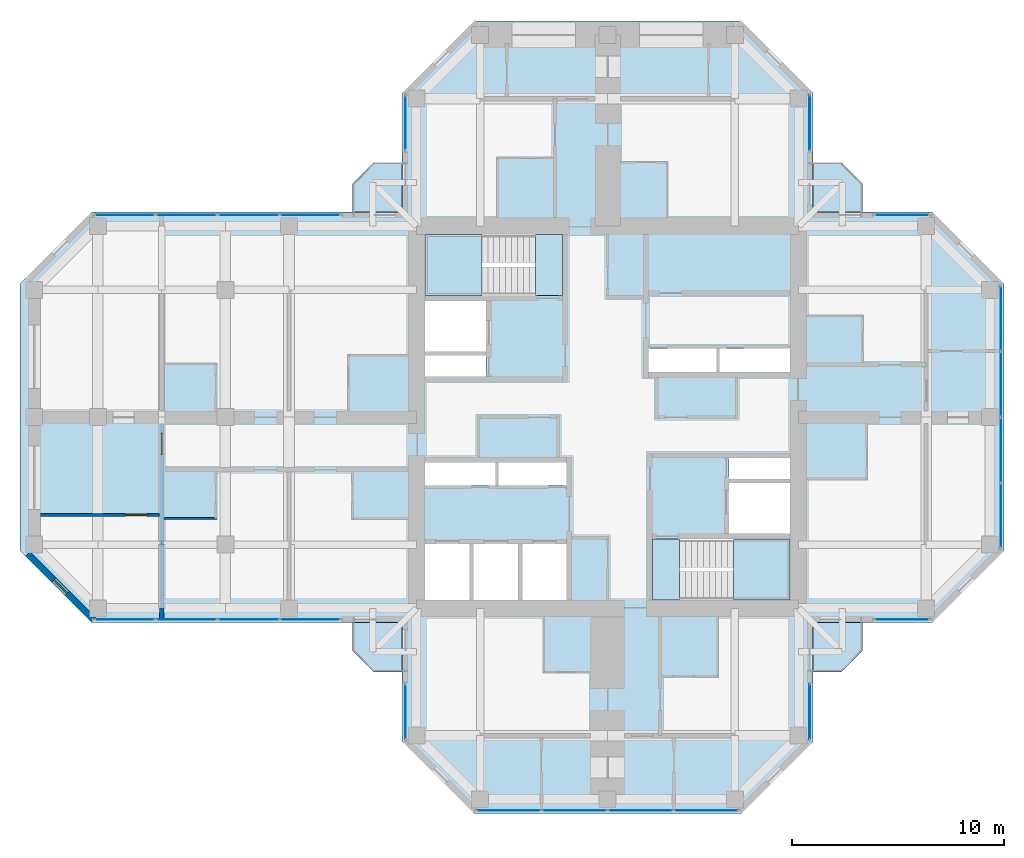
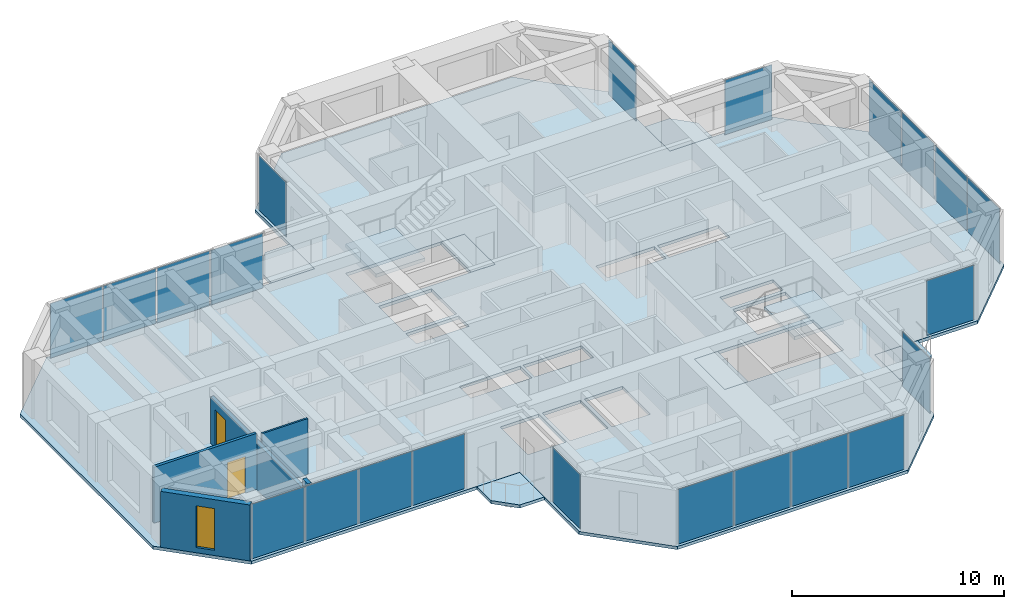
# One storey, part 7 of 14: 22 plates, 9 slabs, 5 walls, 2 doors, 1 window, 3 openings, 12 elements without a shape of their own.
"""IFC4 building model written with IfcOpenShell, lengths in metres."""

import ifcopenshell
import ifcopenshell.guid

model = None  # the IFC model being written
_history = None  # IfcOwnerHistory: only IFC2X3 demands one
_inside = {}  # id of a spatial element -> (the spatial element, [elements in it])
_under = {}  # id of a project, library or spatial element -> (it, [spatial elements below it])
_declared = {}  # id of a project -> (the project, [libraries it declares])
_typed = {}  # id of a type object -> (the type object, [elements of that type])
_made_of = {}  # id of a material, layer set ... -> (it, [elements and type objects made of it])


def new_model(schema):
    """Start an empty IFC model of exactly this schema.

    Asked for "IFC4X3", IfcOpenShell would pick the latest addendum, in which some entities
    have other attributes; the version numbers below select the first issue.
    IFC2X3 requires an IfcOwnerHistory on every rooted entity: one is made here for all.
    """
    global model, _history
    if schema == "IFC4X3":
        model = ifcopenshell.file(schema_version=(4, 3, 0, 0))
    else:
        model = ifcopenshell.file(schema=schema)
    _inside.clear()
    _under.clear()
    _declared.clear()
    _typed.clear()
    _made_of.clear()
    _history = None
    if model.schema == "IFC2X3":
        org = make("IfcOrganization", Name="unknown")
        user = make(
            "IfcPersonAndOrganization",
            ThePerson=make("IfcPerson", FamilyName="unknown"),
            TheOrganization=org,
        )
        app = make(
            "IfcApplication",
            ApplicationDeveloper=org,
            Version="unknown",
            ApplicationFullName="unknown",
            ApplicationIdentifier="unknown",
        )
        _history = make(
            "IfcOwnerHistory",
            OwningUser=user,
            OwningApplication=app,
            ChangeAction="ADDED",
            CreationDate=0,
        )
    return model


def make(cls, **values):
    """One entity of the class cls with the attributes given. An attribute that is None is left unset."""
    return model.create_entity(
        cls, **{name: value for name, value in values.items() if value is not None}
    )


def rooted(cls, **values):
    """An entity with a GlobalId (a new one), such as an element, a storey or a relation."""
    return make(cls, GlobalId=ifcopenshell.guid.new(), OwnerHistory=_history, **values)


def si_unit(unit_type, name, prefix=None):
    """IfcSIUnit, for example si_unit("LENGTHUNIT", "METRE", prefix="MILLI")."""
    return make("IfcSIUnit", UnitType=unit_type, Prefix=prefix, Name=name)


def assignment(units):
    """IfcUnitAssignment: the units of a project."""
    return None if units is None else make("IfcUnitAssignment", Units=units)


def point(xyz):
    """IfcCartesianPoint."""
    return None if xyz is None else make("IfcCartesianPoint", Coordinates=xyz)


def direction(xyz):
    """IfcDirection."""
    return None if xyz is None else make("IfcDirection", DirectionRatios=xyz)


def frame(location, z_axis=None, x_axis=None):
    """IfcAxis2Placement3D, a coordinate frame: its origin and axes. An axis left out is left unset."""
    return make(
        "IfcAxis2Placement3D",
        Location=point(location),
        Axis=direction(z_axis),
        RefDirection=direction(x_axis),
    )


def frame_2d(location, x_axis=None):
    """IfcAxis2Placement2D, a coordinate frame in the plane: its origin and x axis."""
    return make(
        "IfcAxis2Placement2D", Location=point(location), RefDirection=direction(x_axis)
    )


def origin():
    """The frame at (0, 0, 0) with its axes left unset."""
    return frame((0.0, 0.0, 0.0))


def origin_2d():
    """The frame at (0, 0) in the plane with its x axis left unset."""
    return frame_2d((0.0, 0.0))


def place(relative_to, where):
    """IfcLocalPlacement: puts the frame where relative to a parent placement (None: the world)."""
    return make(
        "IfcLocalPlacement", PlacementRelTo=relative_to, RelativePlacement=where
    )


def context(
    kind, dimensions, precision=None, world=None, true_north=None, identifier=None
):
    """IfcGeometricRepresentationContext, for example the 3D "Model" context."""
    return make(
        "IfcGeometricRepresentationContext",
        ContextIdentifier=identifier,
        ContextType=kind,
        CoordinateSpaceDimension=dimensions,
        Precision=precision,
        WorldCoordinateSystem=world,
        TrueNorth=true_north,
    )


def subcontext(parent, identifier, kind, view, scale=None):
    """IfcGeometricRepresentationSubContext, for example "Body" below "Model"."""
    return make(
        "IfcGeometricRepresentationSubContext",
        ContextIdentifier=identifier,
        ContextType=kind,
        ParentContext=parent,
        TargetScale=scale,
        TargetView=view,
    )


def project(units=None, contexts=None):
    """IfcProject with its units and contexts."""
    return rooted(
        "IfcProject",
        Name="project",
        RepresentationContexts=contexts,
        UnitsInContext=assignment(units),
    )


def spatial(cls, under=None, at=None, **own):
    """A site, building, storey or space (cls), placed at a placement, below another one or the project."""
    s = rooted(cls, ObjectPlacement=at, **own)
    if under is not None:
        _under.setdefault(under.id(), (under, []))[1].append(s)
    return s


def polyline(points):
    """IfcPolyline through the points."""
    return make("IfcPolyline", Points=[point(p) for p in points])


def profile(cls, at=None, kind="AREA", **sizes):
    """A parametric profile (cls). Its sizes go by their IFC names, for example OverallWidth=200.0."""
    return make(cls, ProfileType=kind, Position=at, **sizes)


def rectangle(**sizes):
    """IfcRectangleProfileDef."""
    return profile("IfcRectangleProfileDef", **sizes)


def hollow_rectangle(**sizes):
    """IfcRectangleHollowProfileDef."""
    return profile("IfcRectangleHollowProfileDef", **sizes)


def outline(outer, holes=None, kind="AREA"):
    """IfcArbitraryClosedProfileDef: a profile drawn as a closed curve; with holes, ...WithVoids."""
    if holes is None:
        return make("IfcArbitraryClosedProfileDef", ProfileType=kind, OuterCurve=outer)
    return make(
        "IfcArbitraryProfileDefWithVoids",
        ProfileType=kind,
        OuterCurve=outer,
        InnerCurves=holes,
    )


def extrude(swept, where, along, depth):
    """IfcExtrudedAreaSolid: the profile swept, set in the frame where, extruded along a direction by depth."""
    return make(
        "IfcExtrudedAreaSolid",
        SweptArea=swept,
        Position=where,
        ExtrudedDirection=direction(along),
        Depth=depth,
    )


def shape(context_of_items, identifier, shape_type, items):
    """IfcShapeRepresentation: the items that make up one representation, for example the "Body"."""
    return make(
        "IfcShapeRepresentation",
        ContextOfItems=context_of_items,
        RepresentationIdentifier=identifier,
        RepresentationType=shape_type,
        Items=items,
    )


def material(Name=None, Category=None):
    """IfcMaterial."""
    return make("IfcMaterial", Name=Name, Category=Category)


def layer(
    of_material, thickness, ventilated=None, Name=None, Category=None, Priority=None
):
    """IfcMaterialLayer: one layer of a wall or slab, of a material (None: an air gap)."""
    return make(
        "IfcMaterialLayer",
        Material=of_material,
        LayerThickness=thickness,
        IsVentilated=ventilated,
        Name=Name,
        Category=Category,
        Priority=Priority,
    )


def layer_set(layers, Name=None):
    """IfcMaterialLayerSet."""
    return make("IfcMaterialLayerSet", MaterialLayers=layers, LayerSetName=Name)


def constituent(of_material, Name=None, Category=None, fraction=None):
    """IfcMaterialConstituent: one of the materials an element consists of."""
    return make(
        "IfcMaterialConstituent",
        Name=Name,
        Material=of_material,
        Fraction=fraction,
        Category=Category,
    )


def constituent_set(constituents=None, Name=None):
    """IfcMaterialConstituentSet."""
    return make(
        "IfcMaterialConstituentSet", Name=Name, MaterialConstituents=constituents
    )


def made_of(thing, what):
    """Note that an element or type object is made of a material, layer set ...; save() writes the relation."""
    if what is not None:
        _made_of.setdefault(what.id(), (what, []))[1].append(thing)
    return thing


def type_object(cls, material=None, **own):
    """A type object (cls), such as IfcWallType, which elements share."""
    return made_of(rooted(cls, **own), material)


def element(
    cls,
    number,
    at=None,
    inside=None,
    cuts=None,
    type_object=None,
    material=None,
    context=None,
    identifier="Body",
    shape_type=None,
    held_by="IfcProductDefinitionShape",
    body=None,
    shapes=None,
    **own,
):
    """One element of the class cls, such as IfcWall. Its Tag is "e" and its number.

    at: its placement. inside: the storey or other place that contains it. cuts: it is an
    opening in that element (IfcRelVoidsElement). A single representation is given by context,
    identifier, shape_type and body (its items); several are given by shapes. held_by: the class
    of the entity that holds the representations. save() writes the other relations.
    """
    e = rooted(cls, Tag="e%d" % number, ObjectPlacement=at, **own)
    if body is not None:
        shapes = [shape(context, identifier, shape_type, body)]
    if shapes is not None:
        e.Representation = make(held_by, Representations=shapes)
    if inside is not None:
        _inside.setdefault(inside.id(), (inside, []))[1].append(e)
    if cuts is not None:
        rooted(
            "IfcRelVoidsElement", RelatingBuildingElement=cuts, RelatedOpeningElement=e
        )
    if type_object is not None:
        _typed.setdefault(type_object.id(), (type_object, []))[1].append(e)
    return made_of(e, material)


def fill(opening, filler):
    """IfcRelFillsElement: the door or window that sits in an opening."""
    return rooted(
        "IfcRelFillsElement",
        RelatingOpeningElement=opening,
        RelatedBuildingElement=filler,
    )


def aggregate(whole, parts):
    """IfcRelAggregates: a whole, such as a stair, and the parts it consists of."""
    return rooted("IfcRelAggregates", RelatingObject=whole, RelatedObjects=parts)


def save(model, path):
    """Write the relations noted so far, then the file.

    IfcRelAggregates (storeys below a building ...), IfcRelContainedInSpatialStructure (elements
    in a storey), IfcRelDefinesByType, IfcRelAssociatesMaterial and IfcRelDeclares: one each for
    every whole, place, type object, material and project.
    """
    for whole, parts in _under.values():
        aggregate(whole, parts)
    for where, things in _inside.values():
        rooted(
            "IfcRelContainedInSpatialStructure",
            RelatedElements=things,
            RelatingStructure=where,
        )
    for kind, things in _typed.values():
        rooted("IfcRelDefinesByType", RelatedObjects=things, RelatingType=kind)
    for what, things in _made_of.values():
        rooted("IfcRelAssociatesMaterial", RelatedObjects=things, RelatingMaterial=what)
    for by, libraries in _declared.values():
        rooted("IfcRelDeclares", RelatingContext=by, RelatedDefinitions=libraries)
    model.write(path)


model = new_model("IFC4")

# Units and contexts
model_context = context("Model", 3, precision=1e-05, world=origin(), true_north=direction((0.0, 1.0)))
body_context = subcontext(model_context, "Body", "Model", "MODEL_VIEW")
ifc_project = project(units=[si_unit("LENGTHUNIT", "METRE"), si_unit("AREAUNIT", "SQUARE_METRE"), si_unit("VOLUMEUNIT", "CUBIC_METRE"), si_unit("PLANEANGLEUNIT", "RADIAN"), si_unit("MASSUNIT", "GRAM", prefix="KILO")], contexts=[model_context])

# Site, building, storey
site_placement = place(None, origin())
site = spatial("IfcSite", under=ifc_project, at=site_placement, CompositionType="ELEMENT")
building_placement = place(site_placement, origin())
building = spatial("IfcBuilding", under=site, at=building_placement, Name="Torre Cruceta", CompositionType="ELEMENT")
storey_placement = place(building_placement, frame((0.0, 0.0, 225.5)))
storey = spatial("IfcBuildingStorey", under=building, at=storey_placement, Name="L57", CompositionType="ELEMENT", Elevation=225.5)

# Slabs
ifc_material_1 = material(Name="Concrete G35 (fck 35 MPa)", Category="concrete")
ifc_layer_1 = layer(ifc_material_1, 0.179931640625)
ifc_layer_set_1 = layer_set([ifc_layer_1], Name="Concrete G35 (fck 35 MPa)")
slab_type_1 = type_object("IfcSlabType", Name="BALCONY SLAB 180", PredefinedType="USERDEFINED", material=ifc_layer_set_1)
slab_1_placement = place(storey_placement, frame((0.0, 0.0, -0.179931640625)))
element("IfcSlab", 1, at=slab_1_placement, inside=storey, type_object=slab_type_1, Name="Balcony slab L57 N", ObjectType="BALCONY", PredefinedType="USERDEFINED", context=body_context, shape_type="SweptSolid", body=[
    extrude(outline(polyline([(-12.0, 11.0), (-11.0, 12.0), (-9.669921875, 12.0), (-9.669921875, 9.669921875), (-12.0, 9.669921875), (-12.0, 11.0)])), origin(), (0.0, 0.0, 1.0), 0.179931640625),
])
slab_2_placement = place(storey_placement, frame((0.0, 0.0, -0.179931640625)))
element("IfcSlab", 2, at=slab_2_placement, inside=storey, type_object=slab_type_1, Name="Balcony slab L57 E", ObjectType="BALCONY", PredefinedType="USERDEFINED", context=body_context, shape_type="SweptSolid", body=[
    extrude(outline(polyline([(11.0, 12.0), (12.0, 11.0), (12.0, 9.669921875), (9.669921875, 9.669921875), (9.669921875, 12.0), (11.0, 12.0)])), origin(), (0.0, 0.0, 1.0), 0.179931640625),
])
slab_3_placement = place(storey_placement, frame((0.0, 0.0, -0.179931640625)))
element("IfcSlab", 3, at=slab_3_placement, inside=storey, type_object=slab_type_1, Name="Balcony slab L57 S", ObjectType="BALCONY", PredefinedType="USERDEFINED", context=body_context, shape_type="SweptSolid", body=[
    extrude(outline(polyline([(12.0, -11.0), (11.0, -12.0), (9.669921875, -12.0), (9.669921875, -9.669921875), (12.0, -9.669921875), (12.0, -11.0)])), origin(), (0.0, 0.0, 1.0), 0.179931640625),
])
slab_4_placement = place(storey_placement, frame((0.0, 0.0, -0.179931640625)))
element("IfcSlab", 4, at=slab_4_placement, inside=storey, type_object=slab_type_1, Name="Balcony slab L57 W", ObjectType="BALCONY", PredefinedType="USERDEFINED", context=body_context, shape_type="SweptSolid", body=[
    extrude(outline(polyline([(-11.0, -12.0), (-12.0, -11.0), (-12.0, -9.669921875), (-9.669921875, -9.669921875), (-9.669921875, -12.0), (-11.0, -12.0)])), origin(), (0.0, 0.0, 1.0), 0.179931640625),
])

# Curtain wall, plate
ifc_material_2 = material(Name="Aluminium unitised curtain wall", Category="aluminium")
curtain_wall_type = type_object("IfcCurtainWallType", Name="CURTAIN WALL CW-D CO-LIVING UPPER", PredefinedType="USERDEFINED", material=ifc_material_2)
curtain_wall_1_placement = place(storey_placement, origin())
curtain_wall_1 = element("IfcCurtainWall", 5, at=curtain_wall_1_placement, inside=storey, type_object=curtain_wall_type, Name="CW-D L57 E tip 02", ObjectType="UNITISED", PredefinedType="USERDEFINED")
ifc_material_3 = material(Name="Laminated insulating glass unit, diagonal frit 50 %", Category="glass")
ifc_material_4 = material(Name="Laminated insulating glass unit, diagonal frit 50 %", Category="glass")
ifc_layer_2 = layer(ifc_material_4, 0.028076171875)
ifc_layer_set_2 = layer_set([ifc_layer_2], Name="Laminated insulating glass unit, diagonal frit 50 %")
plate_type_1 = type_object("IfcPlateType", Name="CW-D OPERABLE VENT PANEL 28", PredefinedType="CURTAIN_PANEL", material=ifc_layer_set_2)
plate_1_placement = place(storey_placement, frame((18.52001953125, -1.553955078125, 0.010009765625), z_axis=(0.0, 0.0, 1.0), x_axis=(0.0, 1.0, 0.0)))
plate_1 = element("IfcPlate", 6, at=plate_1_placement, type_object=plate_type_1, material=ifc_material_3, Name="CW-D vent 2", PredefinedType="CURTAIN_PANEL", context=body_context, shape_type="SweptSolid", body=[
    extrude(rectangle(XDim=3.047607421875, YDim=0.028076171875, at=origin_2d()), origin(), (0.0, 0.0, 1.0), 3.14990234375),
])

curtain_wall_2_placement = place(storey_placement, origin())
curtain_wall_2 = element("IfcCurtainWall", 7, at=curtain_wall_2_placement, inside=storey, type_object=curtain_wall_type, Name="CW-D L57 W side 10", ObjectType="UNITISED", PredefinedType="USERDEFINED")
plate_2_placement = place(storey_placement, frame((-16.90576171875, 9.52001953125, 0.010009765625), z_axis=(0.0, 0.0, 1.0), x_axis=(-1.0, 0.0, 0.0)))
plate_2 = element("IfcPlate", 8, at=plate_2_placement, type_object=plate_type_1, material=ifc_material_3, Name="CW-D vent 2", PredefinedType="CURTAIN_PANEL", context=body_context, shape_type="SweptSolid", body=[
    extrude(rectangle(XDim=2.86376953125, YDim=0.028076171875, at=origin_2d()), origin(), (0.0, 0.0, 1.0), 3.14990234375),
])

curtain_wall_3_placement = place(storey_placement, origin())
curtain_wall_3 = element("IfcCurtainWall", 9, at=curtain_wall_3_placement, inside=storey, type_object=curtain_wall_type, Name="CW-D L57 W side 14", ObjectType="UNITISED", PredefinedType="USERDEFINED")
plate_3_placement = place(storey_placement, frame((-19.82958984375, -9.52001953125, 0.010009765625), z_axis=(0.0, 0.0, 1.0), x_axis=(1.0, 0.0, 0.0)))
plate_3 = element("IfcPlate", 10, at=plate_3_placement, type_object=plate_type_1, material=ifc_material_3, Name="CW-D vent 2", PredefinedType="CURTAIN_PANEL", context=body_context, shape_type="SweptSolid", body=[
    extrude(rectangle(XDim=2.86376953125, YDim=0.028076171875, at=origin_2d()), origin(), (0.0, 0.0, 1.0), 3.14990234375),
])

curtain_wall_4_placement = place(storey_placement, origin())
curtain_wall_4 = element("IfcCurtainWall", 11, at=curtain_wall_4_placement, inside=storey, type_object=curtain_wall_type, Name="CW-D L57 S tip 17", ObjectType="UNITISED", PredefinedType="USERDEFINED")
plate_4_placement = place(storey_placement, frame((-1.553955078125, -18.52001953125, 0.010009765625), z_axis=(0.0, 0.0, 1.0), x_axis=(1.0, 0.0, 0.0)))
plate_4 = element("IfcPlate", 12, at=plate_4_placement, type_object=plate_type_1, material=ifc_material_3, Name="CW-D vent 2", PredefinedType="CURTAIN_PANEL", context=body_context, shape_type="SweptSolid", body=[
    extrude(rectangle(XDim=3.047607421875, YDim=0.028076171875, at=origin_2d()), origin(), (0.0, 0.0, 1.0), 3.14990234375),
])

curtain_wall_5_placement = place(storey_placement, origin())
curtain_wall_5 = element("IfcCurtainWall", 13, at=curtain_wall_5_placement, inside=storey, type_object=curtain_wall_type, Name="CW-D L57 E side 00", ObjectType="UNITISED", PredefinedType="USERDEFINED")
ifc_material_5 = material(Name="Laminated insulating glass unit, diagonal frit 50 %", Category="glass")
ifc_layer_3 = layer(ifc_material_5, 0.028076171875)
ifc_layer_set_3 = layer_set([ifc_layer_3], Name="Laminated insulating glass unit, diagonal frit 50 %")
plate_type_2 = type_object("IfcPlateType", Name="CW-D PANEL 28", PredefinedType="CURTAIN_PANEL", material=ifc_layer_set_3)
plate_5_placement = place(storey_placement, frame((13.86767578125, -9.52001953125, 0.010009765625), z_axis=(0.0, 0.0, 1.0), x_axis=(1.0, 0.0, 0.0)))
plate_5 = element("IfcPlate", 14, at=plate_5_placement, type_object=plate_type_2, material=ifc_material_3, Name="CW-D panel 1", PredefinedType="CURTAIN_PANEL", context=body_context, shape_type="SweptSolid", body=[
    extrude(rectangle(XDim=2.575439453125, YDim=0.028076171875, at=origin_2d()), origin(), (0.0, 0.0, 1.0), 3.14990234375),
])
aggregate(curtain_wall_5, [plate_5])

# Plate
plate_6_placement = place(storey_placement, frame((18.52001953125, -4.646484375, 0.010009765625), z_axis=(0.0, 0.0, 1.0), x_axis=(0.0, 1.0, 0.0)))
plate_6 = element("IfcPlate", 15, at=plate_6_placement, type_object=plate_type_2, material=ifc_material_3, Name="CW-D panel 1", PredefinedType="CURTAIN_PANEL", context=body_context, shape_type="SweptSolid", body=[
    extrude(rectangle(XDim=3.017578125, YDim=0.028076171875, at=origin_2d()), origin(), (0.0, 0.0, 1.0), 3.14990234375),
])

plate_7_placement = place(storey_placement, frame((18.52001953125, 1.553955078125, 0.010009765625), z_axis=(0.0, 0.0, 1.0), x_axis=(0.0, 1.0, 0.0)))
plate_7 = element("IfcPlate", 16, at=plate_7_placement, type_object=plate_type_2, material=ifc_material_3, Name="CW-D panel 3", PredefinedType="CURTAIN_PANEL", context=body_context, shape_type="SweptSolid", body=[
    extrude(rectangle(XDim=3.047607421875, YDim=0.028076171875, at=origin_2d()), origin(), (0.0, 0.0, 1.0), 3.14990234375),
])

ifc_material_6 = material(Name="Laminated insulating glass unit, low-iron clear", Category="glass")
plate_8_placement = place(storey_placement, frame((18.52001953125, 4.646484375, 0.010009765625), z_axis=(0.0, 0.0, 1.0), x_axis=(0.0, 1.0, 0.0)))
plate_8 = element("IfcPlate", 17, at=plate_8_placement, type_object=plate_type_2, material=ifc_material_6, Name="CW-D panel 4", PredefinedType="CURTAIN_PANEL", context=body_context, shape_type="SweptSolid", body=[
    extrude(rectangle(XDim=3.017578125, YDim=0.028076171875, at=origin_2d()), origin(), (0.0, 0.0, 1.0), 3.14990234375),
])

aggregate(curtain_wall_1, [plate_6, plate_1, plate_7, plate_8])

# Curtain wall, plate
curtain_wall_6_placement = place(storey_placement, origin())
curtain_wall_6 = element("IfcCurtainWall", 18, at=curtain_wall_6_placement, inside=storey, type_object=curtain_wall_type, Name="CW-D L57 E side 04", ObjectType="UNITISED", PredefinedType="USERDEFINED")
plate_9_placement = place(storey_placement, frame((13.86767578125, 9.52001953125, 0.010009765625), z_axis=(0.0, 0.0, 1.0), x_axis=(-1.0, 0.0, 0.0)))
plate_9 = element("IfcPlate", 19, at=plate_9_placement, type_object=plate_type_2, material=ifc_material_3, Name="CW-D panel 1", PredefinedType="CURTAIN_PANEL", context=body_context, shape_type="SweptSolid", body=[
    extrude(rectangle(XDim=2.575439453125, YDim=0.028076171875, at=origin_2d()), origin(), (0.0, 0.0, 1.0), 3.14990234375),
])
aggregate(curtain_wall_6, [plate_9])

curtain_wall_7_placement = place(storey_placement, origin())
curtain_wall_7 = element("IfcCurtainWall", 20, at=curtain_wall_7_placement, inside=storey, type_object=curtain_wall_type, Name="CW-D L57 N side 05", ObjectType="UNITISED", PredefinedType="USERDEFINED")
plate_10_placement = place(storey_placement, frame((9.52001953125, 13.86767578125, 0.010009765625), z_axis=(0.0, 0.0, 1.0), x_axis=(0.0, 1.0, 0.0)))
plate_10 = element("IfcPlate", 21, at=plate_10_placement, type_object=plate_type_2, material=ifc_material_3, Name="CW-D panel 1", PredefinedType="CURTAIN_PANEL", context=body_context, shape_type="SweptSolid", body=[
    extrude(rectangle(XDim=2.575439453125, YDim=0.028076171875, at=origin_2d()), origin(), (0.0, 0.0, 1.0), 3.14990234375),
])
aggregate(curtain_wall_7, [plate_10])

curtain_wall_8_placement = place(storey_placement, origin())
curtain_wall_8 = element("IfcCurtainWall", 22, at=curtain_wall_8_placement, inside=storey, type_object=curtain_wall_type, Name="CW-D L57 N side 09", ObjectType="UNITISED", PredefinedType="USERDEFINED")
plate_11_placement = place(storey_placement, frame((-9.52001953125, 13.86767578125, 0.010009765625), z_axis=(0.0, 0.0, 1.0), x_axis=(0.0, -1.0, 0.0)))
plate_11 = element("IfcPlate", 23, at=plate_11_placement, type_object=plate_type_2, material=ifc_material_3, Name="CW-D panel 1", PredefinedType="CURTAIN_PANEL", context=body_context, shape_type="SweptSolid", body=[
    extrude(rectangle(XDim=2.575439453125, YDim=0.028076171875, at=origin_2d()), origin(), (0.0, 0.0, 1.0), 3.14990234375),
])
aggregate(curtain_wall_8, [plate_11])

# Plate
plate_12_placement = place(storey_placement, frame((-13.996826171875, 9.52001953125, 0.010009765625), z_axis=(0.0, 0.0, 1.0), x_axis=(-1.0, 0.0, 0.0)))
plate_12 = element("IfcPlate", 24, at=plate_12_placement, type_object=plate_type_2, material=ifc_material_3, Name="CW-D panel 1", PredefinedType="CURTAIN_PANEL", context=body_context, shape_type="SweptSolid", body=[
    extrude(rectangle(XDim=2.833740234375, YDim=0.028076171875, at=origin_2d()), origin(), (0.0, 0.0, 1.0), 3.14990234375),
])

plate_13_placement = place(storey_placement, frame((-19.82958984375, 9.52001953125, 0.010009765625), z_axis=(0.0, 0.0, 1.0), x_axis=(-1.0, 0.0, 0.0)))
plate_13 = element("IfcPlate", 25, at=plate_13_placement, type_object=plate_type_2, material=ifc_material_3, Name="CW-D panel 3", PredefinedType="CURTAIN_PANEL", context=body_context, shape_type="SweptSolid", body=[
    extrude(rectangle(XDim=2.86376953125, YDim=0.028076171875, at=origin_2d()), origin(), (0.0, 0.0, 1.0), 3.14990234375),
])

plate_14_placement = place(storey_placement, frame((-22.738525390625, 9.52001953125, 0.010009765625), z_axis=(0.0, 0.0, 1.0), x_axis=(-1.0, 0.0, 0.0)))
plate_14 = element("IfcPlate", 26, at=plate_14_placement, type_object=plate_type_2, material=ifc_material_6, Name="CW-D panel 4", PredefinedType="CURTAIN_PANEL", context=body_context, shape_type="SweptSolid", body=[
    extrude(rectangle(XDim=2.833740234375, YDim=0.028076171875, at=origin_2d()), origin(), (0.0, 0.0, 1.0), 3.14990234375),
])

aggregate(curtain_wall_2, [plate_12, plate_2, plate_13, plate_14])

plate_15_placement = place(storey_placement, frame((-22.738525390625, -9.52001953125, 0.010009765625), z_axis=(0.0, 0.0, 1.0), x_axis=(1.0, 0.0, 0.0)))
plate_15 = element("IfcPlate", 27, at=plate_15_placement, type_object=plate_type_2, material=ifc_material_3, Name="CW-D panel 1", PredefinedType="CURTAIN_PANEL", context=body_context, shape_type="SweptSolid", body=[
    extrude(rectangle(XDim=2.833740234375, YDim=0.028076171875, at=origin_2d()), origin(), (0.0, 0.0, 1.0), 3.14990234375),
])

plate_16_placement = place(storey_placement, frame((-16.90576171875, -9.52001953125, 0.010009765625), z_axis=(0.0, 0.0, 1.0), x_axis=(1.0, 0.0, 0.0)))
plate_16 = element("IfcPlate", 28, at=plate_16_placement, type_object=plate_type_2, material=ifc_material_3, Name="CW-D panel 3", PredefinedType="CURTAIN_PANEL", context=body_context, shape_type="SweptSolid", body=[
    extrude(rectangle(XDim=2.86376953125, YDim=0.028076171875, at=origin_2d()), origin(), (0.0, 0.0, 1.0), 3.14990234375),
])

plate_17_placement = place(storey_placement, frame((-13.996826171875, -9.52001953125, 0.010009765625), z_axis=(0.0, 0.0, 1.0), x_axis=(1.0, 0.0, 0.0)))
plate_17 = element("IfcPlate", 29, at=plate_17_placement, type_object=plate_type_2, material=ifc_material_6, Name="CW-D panel 4", PredefinedType="CURTAIN_PANEL", context=body_context, shape_type="SweptSolid", body=[
    extrude(rectangle(XDim=2.833740234375, YDim=0.028076171875, at=origin_2d()), origin(), (0.0, 0.0, 1.0), 3.14990234375),
])

aggregate(curtain_wall_3, [plate_15, plate_3, plate_16, plate_17])

# Curtain wall, plate
curtain_wall_9_placement = place(storey_placement, origin())
curtain_wall_9 = element("IfcCurtainWall", 30, at=curtain_wall_9_placement, inside=storey, type_object=curtain_wall_type, Name="CW-D L57 S side 15", ObjectType="UNITISED", PredefinedType="USERDEFINED")
plate_18_placement = place(storey_placement, frame((-9.52001953125, -13.86767578125, 0.010009765625), z_axis=(0.0, 0.0, 1.0), x_axis=(0.0, -1.0, 0.0)))
plate_18 = element("IfcPlate", 31, at=plate_18_placement, type_object=plate_type_2, material=ifc_material_3, Name="CW-D panel 1", PredefinedType="CURTAIN_PANEL", context=body_context, shape_type="SweptSolid", body=[
    extrude(rectangle(XDim=2.575439453125, YDim=0.028076171875, at=origin_2d()), origin(), (0.0, 0.0, 1.0), 3.14990234375),
])
aggregate(curtain_wall_9, [plate_18])

# Plate
plate_19_placement = place(storey_placement, frame((-4.646484375, -18.52001953125, 0.010009765625), z_axis=(0.0, 0.0, 1.0), x_axis=(1.0, 0.0, 0.0)))
plate_19 = element("IfcPlate", 32, at=plate_19_placement, type_object=plate_type_2, material=ifc_material_3, Name="CW-D panel 1", PredefinedType="CURTAIN_PANEL", context=body_context, shape_type="SweptSolid", body=[
    extrude(rectangle(XDim=3.017578125, YDim=0.028076171875, at=origin_2d()), origin(), (0.0, 0.0, 1.0), 3.14990234375),
])

plate_20_placement = place(storey_placement, frame((1.553955078125, -18.52001953125, 0.010009765625), z_axis=(0.0, 0.0, 1.0), x_axis=(1.0, 0.0, 0.0)))
plate_20 = element("IfcPlate", 33, at=plate_20_placement, type_object=plate_type_2, material=ifc_material_3, Name="CW-D panel 3", PredefinedType="CURTAIN_PANEL", context=body_context, shape_type="SweptSolid", body=[
    extrude(rectangle(XDim=3.047607421875, YDim=0.028076171875, at=origin_2d()), origin(), (0.0, 0.0, 1.0), 3.14990234375),
])

plate_21_placement = place(storey_placement, frame((4.646484375, -18.52001953125, 0.010009765625), z_axis=(0.0, 0.0, 1.0), x_axis=(1.0, 0.0, 0.0)))
plate_21 = element("IfcPlate", 34, at=plate_21_placement, type_object=plate_type_2, material=ifc_material_6, Name="CW-D panel 4", PredefinedType="CURTAIN_PANEL", context=body_context, shape_type="SweptSolid", body=[
    extrude(rectangle(XDim=3.017578125, YDim=0.028076171875, at=origin_2d()), origin(), (0.0, 0.0, 1.0), 3.14990234375),
])

aggregate(curtain_wall_4, [plate_19, plate_4, plate_20, plate_21])

# Curtain wall, plate
curtain_wall_10_placement = place(storey_placement, origin())
curtain_wall_10 = element("IfcCurtainWall", 35, at=curtain_wall_10_placement, inside=storey, type_object=curtain_wall_type, Name="CW-D L57 S side 19", ObjectType="UNITISED", PredefinedType="USERDEFINED")
plate_22_placement = place(storey_placement, frame((9.52001953125, -13.86767578125, 0.010009765625), z_axis=(0.0, 0.0, 1.0), x_axis=(0.0, 1.0, 0.0)))
plate_22 = element("IfcPlate", 36, at=plate_22_placement, type_object=plate_type_2, material=ifc_material_3, Name="CW-D panel 1", PredefinedType="CURTAIN_PANEL", context=body_context, shape_type="SweptSolid", body=[
    extrude(rectangle(XDim=2.575439453125, YDim=0.028076171875, at=origin_2d()), origin(), (0.0, 0.0, 1.0), 3.14990234375),
])
aggregate(curtain_wall_10, [plate_22])

# Slab
ifc_material_7 = material(Name="Concrete G35 (fck 35 MPa)", Category="concrete")
ifc_layer_4 = layer(ifc_material_7, 0.179931640625)
ifc_layer_set_4 = layer_set([ifc_layer_4], Name="Concrete G35 (fck 35 MPa)")
slab_type_2 = type_object("IfcSlabType", Name="FLOOR SLAB 180", PredefinedType="FLOOR", material=ifc_layer_set_4)
slab_5_placement = place(storey_placement, frame((0.0, 0.0, -0.179931640625)))
element("IfcSlab", 37, at=slab_5_placement, inside=storey, type_object=slab_type_2, Name="Floor Slab L57", PredefinedType="FLOOR", context=body_context, shape_type="SweptSolid", body=[
    extrude(outline(polyline([(9.669921875, -9.669921875), (9.669921875, -15.277587890625), (6.277587890625, -18.669921875), (-6.277587890625, -18.669921875), (-9.669921875, -15.277587890625), (-9.669921875, -9.669921875), (-24.277587890625, -9.669921875), (-27.669921875, -6.277587890625), (-27.669921875, 6.277587890625), (-24.277587890625, 9.669921875), (-9.669921875, 9.669921875), (-9.669921875, 15.277587890625), (-6.277587890625, 18.669921875), (6.277587890625, 18.669921875), (9.669921875, 15.277587890625), (9.669921875, 9.669921875), (15.277587890625, 9.669921875), (18.669921875, 6.277587890625), (18.669921875, -6.277587890625), (15.277587890625, -9.669921875), (9.669921875, -9.669921875)]), holes=[polyline([(1.925048828125, 2.125), (5.125, 2.125), (5.125, 3.22509765625), (1.925048828125, 3.22509765625), (1.925048828125, 2.125)]), polyline([(5.27490234375, 2.125), (8.60009765625, 2.125), (8.60009765625, 3.22509765625), (5.27490234375, 3.22509765625), (5.27490234375, 2.125)]), polyline([(-8.60009765625, 3.10009765625), (-5.72509765625, 3.10009765625), (-5.72509765625, 5.47509765625), (-8.60009765625, 5.47509765625), (-8.60009765625, 3.10009765625)]), polyline([(-8.60009765625, 1.925048828125), (-5.72509765625, 1.925048828125), (-5.72509765625, 2.89990234375), (-8.60009765625, 2.89990234375), (-8.60009765625, 1.925048828125)]), polyline([(-4.0166015625, -8.60009765625), (-1.925048828125, -8.60009765625), (-1.925048828125, -5.97509765625), (-4.0166015625, -5.97509765625), (-4.0166015625, -8.60009765625)]), polyline([(-6.308349609375, -8.60009765625), (-4.216552734375, -8.60009765625), (-4.216552734375, -5.97509765625), (-6.308349609375, -5.97509765625), (-6.308349609375, -8.60009765625)]), polyline([(-8.60009765625, -8.60009765625), (-6.50830078125, -8.60009765625), (-6.50830078125, -5.97509765625), (-8.60009765625, -5.97509765625), (-8.60009765625, -8.60009765625)]), polyline([(-5.125, -3.22509765625), (-1.925048828125, -3.22509765625), (-1.925048828125, -2.125), (-5.125, -2.125), (-5.125, -3.22509765625)]), polyline([(-8.60009765625, -3.22509765625), (-5.27490234375, -3.22509765625), (-5.27490234375, -2.125), (-8.60009765625, -2.125), (-8.60009765625, -3.22509765625)]), polyline([(5.72509765625, -5.47509765625), (8.60009765625, -5.47509765625), (8.60009765625, -3.10009765625), (5.72509765625, -3.10009765625), (5.72509765625, -5.47509765625)]), polyline([(5.72509765625, -2.89990234375), (8.60009765625, -2.89990234375), (8.60009765625, -1.925048828125), (5.72509765625, -1.925048828125), (5.72509765625, -2.89990234375)]), polyline([(-8.60009765625, 5.72509765625), (-8.60009765625, 8.60009765625), (-3.39990234375, 8.60009765625), (-2.125, 8.60009765625), (-2.125, 5.72509765625), (-3.39990234375, 5.72509765625), (-8.60009765625, 5.72509765625)]), polyline([(2.125, -5.72509765625), (3.39990234375, -5.72509765625), (8.60009765625, -5.72509765625), (8.60009765625, -8.60009765625), (3.39990234375, -8.60009765625), (2.125, -8.60009765625), (2.125, -5.72509765625)])]), origin(), (0.0, 0.0, 1.0), 0.179931640625),
])

# Stair, slab
ifc_material_8 = material(Name="Concrete G30 (fck 30 MPa)", Category="concrete")
stair_type = type_object("IfcStairType", Name="STAIR HALF-TURN 1300", PredefinedType="HALF_TURN_STAIR", material=ifc_material_8)
stair_1_placement = place(storey_placement, origin())
stair_1 = element("IfcStair", 38, at=stair_1_placement, inside=storey, type_object=stair_type, Name="Stair ST1 L57", PredefinedType="HALF_TURN_STAIR")
ifc_material_9 = material(Name="Concrete G30 (fck 30 MPa)", Category="concrete")
ifc_layer_5 = layer(ifc_material_9, 0.199951171875)
ifc_layer_set_5 = layer_set([ifc_layer_5], Name="Concrete G30 (fck 30 MPa)")
slab_type_3 = type_object("IfcSlabType", Name="STAIR LANDING 200", PredefinedType="LANDING", material=ifc_layer_set_5)
slab_6_placement = place(storey_placement, frame((0.0, 0.0, 1.5)))
slab_6 = element("IfcSlab", 39, at=slab_6_placement, type_object=slab_type_3, Name="ST1 landing 1", PredefinedType="LANDING", context=body_context, shape_type="SweptSolid", body=[
    extrude(outline(polyline([(-8.60009765625, 5.72509765625), (-5.919921875, 5.72509765625), (-5.919921875, 8.60009765625), (-8.60009765625, 8.60009765625), (-8.60009765625, 5.72509765625)])), origin(), (0.0, 0.0, 1.0), 0.199951171875),
])
aggregate(stair_1, [slab_6])

stair_2_placement = place(storey_placement, origin())
stair_2 = element("IfcStair", 40, at=stair_2_placement, inside=storey, type_object=stair_type, Name="Stair ST2 L57", PredefinedType="HALF_TURN_STAIR")
slab_7_placement = place(storey_placement, frame((0.0, 0.0, 1.5)))
slab_7 = element("IfcSlab", 41, at=slab_7_placement, type_object=slab_type_3, Name="ST2 landing 1", PredefinedType="LANDING", context=body_context, shape_type="SweptSolid", body=[
    extrude(outline(polyline([(5.919921875, -8.60009765625), (8.60009765625, -8.60009765625), (8.60009765625, -5.72509765625), (5.919921875, -5.72509765625), (5.919921875, -8.60009765625)])), origin(), (0.0, 0.0, 1.0), 0.199951171875),
])
aggregate(stair_2, [slab_7])

# Slabs
slab_8_placement = place(storey_placement, frame((0.0, 0.0, -0.199951171875)))
element("IfcSlab", 42, at=slab_8_placement, inside=storey, type_object=slab_type_3, Name="Stair ST1 floor landing L57", PredefinedType="LANDING", context=body_context, shape_type="SweptSolid", body=[
    extrude(outline(polyline([(-2.125, 8.60009765625), (-2.125, 5.72509765625), (-3.39990234375, 5.72509765625), (-3.39990234375, 8.60009765625), (-2.125, 8.60009765625)])), origin(), (0.0, 0.0, 1.0), 0.199951171875),
])
slab_9_placement = place(storey_placement, frame((0.0, 0.0, -0.199951171875)))
element("IfcSlab", 43, at=slab_9_placement, inside=storey, type_object=slab_type_3, Name="Stair ST2 floor landing L57", PredefinedType="LANDING", context=body_context, shape_type="SweptSolid", body=[
    extrude(outline(polyline([(2.125, -8.60009765625), (2.125, -5.72509765625), (3.39990234375, -5.72509765625), (3.39990234375, -8.60009765625), (2.125, -8.60009765625)])), origin(), (0.0, 0.0, 1.0), 0.199951171875),
])

# Wall
ifc_material_10 = material(Name="Water-resistant plasterboard on steel studs", Category="steel")
ifc_layer_6 = layer(ifc_material_10, 0.10009765625)
ifc_layer_set_6 = layer_set([ifc_layer_6], Name="Water-resistant plasterboard on steel studs")
wall_type_1 = type_object("IfcWallType", Name="BATHROOM WALL 100", PredefinedType="PARTITIONING", material=ifc_layer_set_6)
wall_1_placement = place(storey_placement, frame((-18.39990234375, -4.77490234375, 0.0), z_axis=(0.0, 0.0, 1.0), x_axis=(-1.0, 0.0, 0.0)))
element("IfcWall", 44, at=wall_1_placement, inside=storey, type_object=wall_type_1, Name="PT4 L57-W-U2LBB", PredefinedType="PARTITIONING", context=body_context, shape_type="SweptSolid", body=[
    extrude(rectangle(XDim=2.5, YDim=0.10009765625, at=frame_2d((1.25, 0.0))), origin(), (0.0, 0.0, 1.0), 3.219970703125),
])

# Wall, opening, window
ifc_material_11 = material(Name="Concrete G30 (fck 30 MPa)", Category="concrete")
ifc_layer_7 = layer(ifc_material_11, 0.300048828125)
ifc_layer_set_7 = layer_set([ifc_layer_7], Name="Concrete G30 (fck 30 MPa)")
wall_type_2 = type_object("IfcWallType", Name="EXPOSED CONCRETE FACADE WALL 300", PredefinedType="SOLIDWALL", material=ifc_layer_set_7)
wall_2_placement = place(storey_placement, frame((-27.300048828125, -6.435302734375, 0.0), z_axis=(0.0, 0.0, 1.0), x_axis=(0.707106781187, -0.707106781187, 0.0)))
wall_2 = element("IfcWall", 45, at=wall_2_placement, inside=storey, type_object=wall_type_2, Name="EW1 facade wall L57 W chamfer 13", PredefinedType="SOLIDWALL", context=body_context, shape_type="SweptSolid", body=[
    extrude(rectangle(XDim=4.362548828125, YDim=0.300048828125, at=frame_2d((2.18115234375, 0.0))), origin(), (0.0, 0.0, 1.0), 3.219970703125),
])
opening_1_placement = place(wall_2_placement, frame((1.731201171875, 0.0, 0.300048828125)))
opening_1 = element("IfcOpeningElement", 46, at=opening_1_placement, cuts=wall_2, Name="Opening WN5", PredefinedType="OPENING", context=body_context, shape_type="SweptSolid", body=[
    extrude(rectangle(XDim=0.89990234375, YDim=2.39990234375, at=frame_2d((0.449951171875, 1.199951171875))), frame((0.0, 0.159912109375, 0.0), z_axis=(0.0, -1.0, 0.0), x_axis=(1.0, 0.0, 0.0)), (0.0, 0.0, 1.0), 0.320068359375),
])
ifc_material_12 = material(Name="Aluminium window frame", Category="aluminium")
ifc_constituent_1 = constituent(ifc_material_12, Name="Frame")
ifc_material_13 = material(Name="Laminated insulating glass unit, low-iron clear", Category="glass")
ifc_constituent_2 = constituent(ifc_material_13, Name="Glazing")
ifc_constituent_set_1 = constituent_set(constituents=[ifc_constituent_1, ifc_constituent_2], Name="Aluminium window")
window_type = type_object("IfcWindowType", Name="CHAMFER SLOT WINDOW 900X2400", PartitioningType="SINGLE_PANEL", PredefinedType="WINDOW", material=ifc_constituent_set_1)
window_placement = place(opening_1_placement, origin())
window = element("IfcWindow", 47, at=window_placement, inside=storey, type_object=window_type, Name="WN5 L57 W 1", OverallHeight=2.39990234375, OverallWidth=0.89990234375, PartitioningType="SINGLE_PANEL", PredefinedType="WINDOW", context=body_context, shape_type="SweptSolid", body=[
    extrude(hollow_rectangle(XDim=0.89990234375, YDim=2.39990234375, WallThickness=0.06005859375, at=frame_2d((0.449951171875, 1.199951171875))), frame((0.0, 0.030029296875, 0.0), z_axis=(0.0, -1.0, 0.0), x_axis=(1.0, 0.0, 0.0)), (0.0, 0.0, 1.0), 0.06005859375),
    extrude(rectangle(XDim=0.77880859375, YDim=2.27880859375, at=frame_2d((0.449951171875, 1.199951171875))), frame((0.0, 0.030029296875, 0.0), z_axis=(0.0, -1.0, 0.0), x_axis=(1.0, 0.0, 0.0)), (0.0, 0.0, 1.0), 0.06005859375),
])
fill(opening_1, window)

# Wall, opening, door
ifc_material_14 = material(Name="Plasterboard on steel studs", Category="steel")
ifc_layer_8 = layer(ifc_material_14, 0.14990234375)
ifc_layer_set_8 = layer_set([ifc_layer_8], Name="Plasterboard on steel studs")
wall_type_3 = type_object("IfcWallType", Name="PARTITION 150", PredefinedType="PARTITIONING", material=ifc_layer_set_8)
wall_3_placement = place(storey_placement, frame((-21.10009765625, -4.60009765625, 0.0), z_axis=(0.0, 0.0, 1.0), x_axis=(-1.0, 0.0, 0.0)))
wall_3 = element("IfcWall", 48, at=wall_3_placement, inside=storey, type_object=wall_type_3, Name="PT1 L57-W-ENDX", PredefinedType="PARTITIONING", context=body_context, shape_type="SweptSolid", body=[
    extrude(rectangle(XDim=5.599853515625, YDim=0.14990234375, at=frame_2d((2.7998046875, 0.0))), origin(), (0.0, 0.0, 1.0), 3.219970703125),
])
opening_2_placement = place(wall_3_placement, frame((0.60009765625, 0.0, 0.0)))
opening_2 = element("IfcOpeningElement", 49, at=opening_2_placement, cuts=wall_3, Name="Opening D3", PredefinedType="OPENING", context=body_context, shape_type="SweptSolid", body=[
    extrude(rectangle(XDim=1.0, YDim=2.10009765625, at=frame_2d((0.5, 1.050048828125))), frame((0.0, 0.0849609375, 0.0), z_axis=(0.0, -1.0, 0.0), x_axis=(1.0, 0.0, 0.0)), (0.0, 0.0, 1.0), 0.169921875),
])
ifc_material_15 = material(Name="Steel DX51D", Category="steel")
ifc_constituent_3 = constituent(ifc_material_15, Name="Leaf and frame")
ifc_material_16 = material(Name="Polyester powder coating", Category="paint")
ifc_constituent_4 = constituent(ifc_material_16, Name="Finish")
ifc_constituent_set_2 = constituent_set(constituents=[ifc_constituent_3, ifc_constituent_4], Name="Steel fire door")
door_type_1 = type_object("IfcDoorType", Name="FIRE DOOR 1000X2100", OperationType="SINGLE_SWING_LEFT", PredefinedType="DOOR", material=ifc_constituent_set_2)
door_1_placement = place(opening_2_placement, origin())
door_1 = element("IfcDoor", 50, at=door_1_placement, inside=storey, type_object=door_type_1, Name="D3 L57-W-ENDX-D1", OperationType="SINGLE_SWING_LEFT", OverallHeight=2.10009765625, OverallWidth=1.0, PredefinedType="DOOR", context=body_context, shape_type="SweptSolid", body=[
    extrude(rectangle(XDim=1.0, YDim=2.10009765625, at=frame_2d((0.5, 1.050048828125))), frame((0.0, 0.02490234375, 0.0), z_axis=(0.0, -1.0, 0.0), x_axis=(1.0, 0.0, 0.0)), (0.0, 0.0, 1.0), 0.050048828125),
])
fill(opening_2, door_1)

ifc_material_17 = material(Name="Concrete G25 (fck 25 MPa)", Category="concrete")
ifc_layer_9 = layer(ifc_material_17, 0.199951171875)
ifc_layer_set_9 = layer_set([ifc_layer_9], Name="Concrete G25 (fck 25 MPa)")
wall_type_4 = type_object("IfcWallType", Name="UNIT SEPARATING WALL 200", PredefinedType="SOLIDWALL", material=ifc_layer_set_9)
wall_4_placement = place(storey_placement, frame((-21.0, -0.300048828125, 0.0), z_axis=(0.0, 0.0, 1.0), x_axis=(0.0, -1.0, 0.0)))
wall_4 = element("IfcWall", 51, at=wall_4_placement, inside=storey, type_object=wall_type_4, Name="PT2 L57-W-ENDb", PredefinedType="SOLIDWALL", context=body_context, shape_type="SweptSolid", body=[
    extrude(rectangle(XDim=8.699951171875, YDim=0.199951171875, at=frame_2d((4.35009765625, 0.0))), origin(), (0.0, 0.0, 1.0), 2.669921875),
])
opening_3_placement = place(wall_4_placement, frame((0.449951171875, 0.0, 0.0)))
opening_3 = element("IfcOpeningElement", 52, at=opening_3_placement, cuts=wall_4, Name="Opening D14", PredefinedType="OPENING", context=body_context, shape_type="SweptSolid", body=[
    extrude(rectangle(XDim=1.0, YDim=2.199951171875, at=frame_2d((0.5, 1.10009765625))), frame((0.0, 0.10986328125, 0.0), z_axis=(0.0, -1.0, 0.0), x_axis=(1.0, 0.0, 0.0)), (0.0, 0.0, 1.0), 0.219970703125),
])
ifc_material_18 = material(Name="Steel DX51D", Category="steel")
ifc_constituent_5 = constituent(ifc_material_18, Name="Leaf and frame")
ifc_material_19 = material(Name="Polyester powder coating", Category="paint")
ifc_constituent_6 = constituent(ifc_material_19, Name="Finish")
ifc_material_20 = material(Name="Fire-resisting glass", Category="glass")
ifc_constituent_7 = constituent(ifc_material_20, Name="Vision panel")
ifc_constituent_set_3 = constituent_set(constituents=[ifc_constituent_5, ifc_constituent_6, ifc_constituent_7], Name="Steel fire door with vision panel")
door_type_2 = type_object("IfcDoorType", Name="FIRE DOOR VISION PANEL 1000X2200", OperationType="SINGLE_SWING_RIGHT", PredefinedType="DOOR", material=ifc_constituent_set_3)
door_2_placement = place(opening_3_placement, frame((1.0, 0.0, 0.0), z_axis=(0.0, 0.0, 1.0), x_axis=(-1.0, 0.0, 0.0)))
door_2 = element("IfcDoor", 53, at=door_2_placement, inside=storey, type_object=door_type_2, Name="D14 L57-W-ENDb-D1", OperationType="SINGLE_SWING_RIGHT", OverallHeight=2.199951171875, OverallWidth=1.0, PredefinedType="DOOR", context=body_context, shape_type="SweptSolid", body=[
    extrude(rectangle(XDim=1.0, YDim=2.199951171875, at=frame_2d((0.5, 1.10009765625))), frame((0.0, 0.025146484375, 0.0), z_axis=(0.0, -1.0, 0.0), x_axis=(1.0, 0.0, 0.0)), (0.0, 0.0, 1.0), 0.050048828125),
])
fill(opening_3, door_2)

# Wall
wall_5_placement = place(storey_placement, frame((-21.0, -9.0, 0.0), z_axis=(0.0, 0.0, 1.0), x_axis=(0.0, -1.0, 0.0)))
element("IfcWall", 54, at=wall_5_placement, inside=storey, type_object=wall_type_4, Name="PT2 L57-W-ENDb 2", PredefinedType="SOLIDWALL", context=body_context, shape_type="SweptSolid", body=[
    extrude(rectangle(XDim=0.47998046875, YDim=0.199951171875, at=frame_2d((0.239990234375, 0.0))), origin(), (0.0, 0.0, 1.0), 3.219970703125),
])

save(model, "model.ifc")
